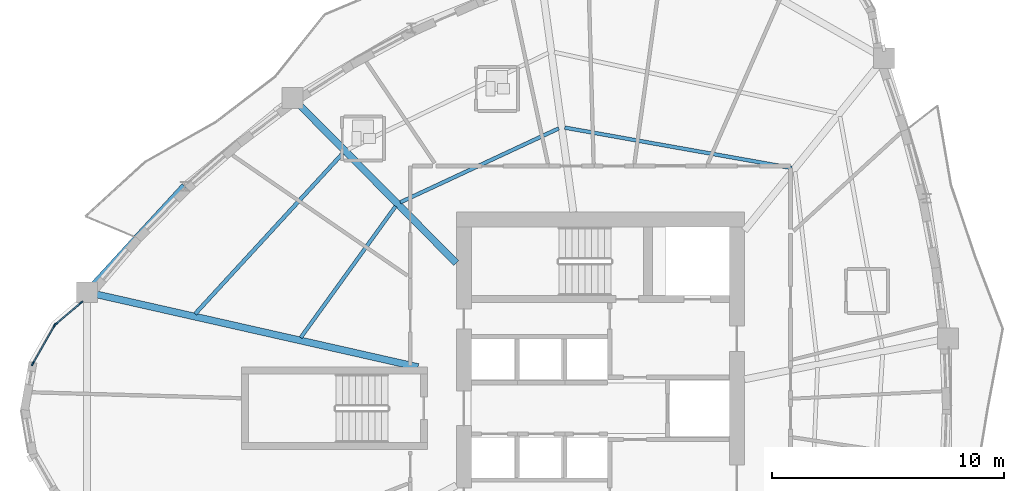
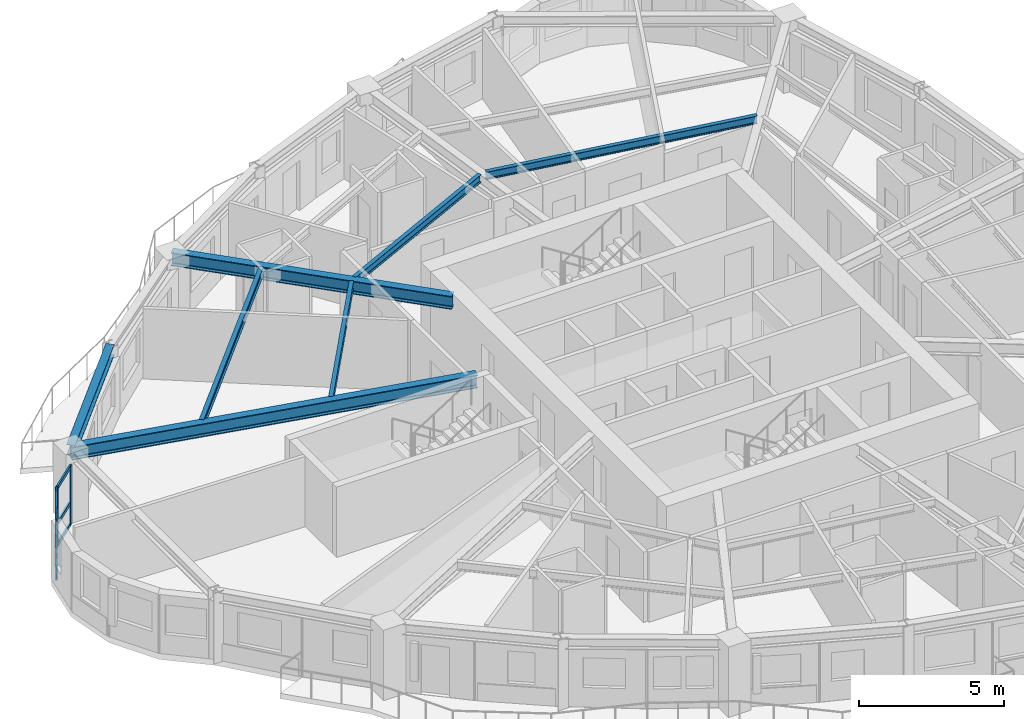
# One storey, part 2 of 14: 10 members, 7 beams, 2 elements without a shape of their own.
"""IFC4 building model written with IfcOpenShell, lengths in metres."""

from ifc_helpers import new_model, si_unit, direction, frame, origin, origin_2d, place, context, subcontext, project, spatial, rectangle, i_section, extrude, source, transform, mapped, material, layer, layer_set, material_profile, profile_set, type_object, element, aggregate, save


model = new_model("IFC4")

# Units and contexts
model_context = context("Model", 3, precision=1e-05, world=origin(), true_north=direction((0.0, 1.0)))
body_context = subcontext(model_context, "Body", "Model", "MODEL_VIEW")
ifc_project = project(units=[si_unit("LENGTHUNIT", "METRE"), si_unit("AREAUNIT", "SQUARE_METRE"), si_unit("VOLUMEUNIT", "CUBIC_METRE"), si_unit("PLANEANGLEUNIT", "RADIAN"), si_unit("MASSUNIT", "GRAM", prefix="KILO")], contexts=[model_context])

# Site, building, storey
site_placement = place(None, origin())
site = spatial("IfcSite", under=ifc_project, at=site_placement, CompositionType="ELEMENT")
building_placement = place(site_placement, origin())
building = spatial("IfcBuilding", under=site, at=building_placement, Name="Qafzar Sky-Pleat Residences", CompositionType="ELEMENT")
storey_placement = place(building_placement, frame((0.0, 0.0, 73.60009765625)))
storey = spatial("IfcBuildingStorey", under=building, at=storey_placement, Name="L21", CompositionType="ELEMENT", Elevation=73.60009765625)

# Beams
ifc_material_1 = material(Name="Steel S355", Category="steel")
ifc_material_profile_1 = material_profile(ifc_material_1, i_section(OverallWidth=0.300048828125, OverallDepth=0.449951171875, WebThickness=0.013916015625, FlangeThickness=0.02587890625, FilletRadius=0.027099609375, at=origin_2d()), Name="HEB 450")
ifc_profile_set_1 = profile_set([ifc_material_profile_1], Name="Steel S355")
beam_type_1 = type_object("IfcBeamType", Name="BM-SPAN-HEB450", PredefinedType="SPANDREL", material=ifc_profile_set_1)
shared_shape_1 = source(origin(), body_context, "Body", "SweptSolid", [
    extrude(i_section(OverallWidth=0.300048828125, OverallDepth=0.449951171875, WebThickness=0.013916015625, FlangeThickness=0.02587890625, FilletRadius=0.027099609375, at=origin_2d()), origin(), (0.0, 0.0, 1.0), 6.20166015625),
])
beam_1_placement = place(storey_placement, frame((12.451416015625, 35.563720703125, 2.722900390625), z_axis=(-0.676513948363, -0.736429818564, 0.0), x_axis=(0.736429818564, -0.676513948363, 0.0)))
element("IfcBeam", 1, at=beam_1_placement, inside=storey, type_object=beam_type_1, Name="L21 Perimeter Spandrel Beam 18", PredefinedType="SPANDREL", context=body_context, shape_type="MappedRepresentation", body=[
    mapped(shared_shape_1, transform((0.0, 0.0, 0.0), x_axis=(1.0, 0.0, 0.0), y_axis=(0.0, 1.0, 0.0), z_axis=(0.0, 0.0, 1.0), scale=1.0)),
])
ifc_material_profile_2 = material_profile(ifc_material_1, i_section(OverallWidth=0.300048828125, OverallDepth=0.550048828125, WebThickness=0.014892578125, FlangeThickness=0.029052734375, FilletRadius=0.027099609375, at=origin_2d()), Name="HEB 550")
ifc_profile_set_2 = profile_set([ifc_material_profile_2], Name="Steel S355")
beam_type_2 = type_object("IfcBeamType", Name="BM-GIRD-HEB550", PredefinedType="BEAM", material=ifc_profile_set_2)
shared_shape_2 = source(origin(), body_context, "Body", "SweptSolid", [
    extrude(i_section(OverallWidth=0.300048828125, OverallDepth=0.550048828125, WebThickness=0.014892578125, FlangeThickness=0.029052734375, FilletRadius=0.027099609375, at=origin_2d()), origin(), (0.0, 0.0, 1.0), 14.605224609375),
])
beam_2_placement = place(storey_placement, frame((8.255859375, 30.99658203125, 2.6728515625), z_axis=(0.975367612327, -0.220585631498, 0.0), x_axis=(0.220585631498, 0.975367612327, 0.0)))
element("IfcBeam", 2, at=beam_2_placement, inside=storey, type_object=beam_type_2, Name="L21 Radial Floor Girder 1", PredefinedType="BEAM", context=body_context, shape_type="MappedRepresentation", body=[
    mapped(shared_shape_2, transform((0.0, 0.0, 0.0), x_axis=(1.0, 0.0, 0.0), y_axis=(0.0, 1.0, 0.0), z_axis=(0.0, 0.0, 1.0), scale=1.0)),
])
shared_shape_3 = source(origin(), body_context, "Body", "SweptSolid", [
    extrude(i_section(OverallWidth=0.300048828125, OverallDepth=0.550048828125, WebThickness=0.014892578125, FlangeThickness=0.029052734375, FilletRadius=0.027099609375, at=origin_2d()), origin(), (0.0, 0.0, 1.0), 10.00390625),
])
beam_3_placement = place(storey_placement, frame((17.105224609375, 39.354248046875, 2.6728515625), z_axis=(0.70418446017, -0.710017074482, 0.0), x_axis=(0.710017074482, 0.70418446017, 0.0)))
element("IfcBeam", 3, at=beam_3_placement, inside=storey, type_object=beam_type_2, Name="L21 Radial Floor Girder 17", PredefinedType="BEAM", context=body_context, shape_type="MappedRepresentation", body=[
    mapped(shared_shape_3, transform((0.0, 0.0, 0.0), x_axis=(1.0, 0.0, 0.0), y_axis=(0.0, 1.0, 0.0), z_axis=(0.0, 0.0, 1.0), scale=1.0)),
])
ifc_material_profile_3 = material_profile(ifc_material_1, i_section(OverallWidth=0.169921875, OverallDepth=0.360107421875, WebThickness=0.008056640625, FlangeThickness=0.0126953125, FilletRadius=0.01806640625, at=origin_2d()), Name="IPE 360")
ifc_profile_set_3 = profile_set([ifc_material_profile_3], Name="Steel S355")
beam_type_3 = type_object("IfcBeamType", Name="BM-JST-IPE360", PredefinedType="JOIST", material=ifc_profile_set_3)
shared_shape_4 = source(origin(), body_context, "Body", "SweptSolid", [
    extrude(i_section(OverallWidth=0.169921875, OverallDepth=0.360107421875, WebThickness=0.008056640625, FlangeThickness=0.0126953125, FilletRadius=0.01806640625, at=origin_2d()), origin(), (0.0, 0.0, 1.0), 9.39794921875),
])
beam_4_placement = place(storey_placement, frame((19.26806640625, 36.98193359375, 2.767822265625), z_axis=(-0.676979989614, -0.736001422323, 0.0), x_axis=(0.736001422323, -0.676979989614, 0.0)))
element("IfcBeam", 4, at=beam_4_placement, inside=storey, type_object=beam_type_3, Name="L21 Outer Secondary Floor Joist 9", PredefinedType="JOIST", context=body_context, shape_type="MappedRepresentation", body=[
    mapped(shared_shape_4, transform((0.0, 0.0, 0.0), x_axis=(1.0, 0.0, 0.0), y_axis=(0.0, 1.0, 0.0), z_axis=(0.0, 0.0, 1.0), scale=1.0)),
])
ifc_material_profile_4 = material_profile(ifc_material_1, i_section(OverallWidth=0.159912109375, OverallDepth=0.330078125, WebThickness=0.007568359375, FlangeThickness=0.011474609375, FilletRadius=0.01806640625, at=origin_2d()), Name="IPE 330")
ifc_profile_set_4 = profile_set([ifc_material_profile_4], Name="Steel S355")
beam_type_4 = type_object("IfcBeamType", Name="BM-JST-IPE330", PredefinedType="JOIST", material=ifc_profile_set_4)
shared_shape_5 = source(origin(), body_context, "Body", "SweptSolid", [
    extrude(i_section(OverallWidth=0.159912109375, OverallDepth=0.330078125, WebThickness=0.007568359375, FlangeThickness=0.011474609375, FilletRadius=0.01806640625, at=origin_2d()), origin(), (0.0, 0.0, 1.0), 9.9189453125),
])
beam_5_placement = place(storey_placement, frame((38.580810546875, 36.343994140625, 2.782958984375), z_axis=(-0.984533273835, 0.175197696079, 0.0), x_axis=(-0.175197696079, -0.984533273835, 0.0)))
element("IfcBeam", 5, at=beam_5_placement, inside=storey, type_object=beam_type_4, Name="L21 Inner Secondary Floor Joist 7", PredefinedType="JOIST", context=body_context, shape_type="MappedRepresentation", body=[
    mapped(shared_shape_5, transform((0.0, 0.0, 0.0), x_axis=(1.0, 0.0, 0.0), y_axis=(0.0, 1.0, 0.0), z_axis=(0.0, 0.0, 1.0), scale=1.0)),
])
shared_shape_6 = source(origin(), body_context, "Body", "SweptSolid", [
    extrude(i_section(OverallWidth=0.159912109375, OverallDepth=0.330078125, WebThickness=0.007568359375, FlangeThickness=0.011474609375, FilletRadius=0.01806640625, at=origin_2d()), origin(), (0.0, 0.0, 1.0), 7.529541015625),
])
beam_6_placement = place(storey_placement, frame((28.559814453125, 38.04833984375, 2.782958984375), z_axis=(-0.906249396796, -0.422743457439, 0.0), x_axis=(0.422743457439, -0.906249396796, 0.0)))
element("IfcBeam", 6, at=beam_6_placement, inside=storey, type_object=beam_type_4, Name="L21 Inner Secondary Floor Joist 8", PredefinedType="JOIST", context=body_context, shape_type="MappedRepresentation", body=[
    mapped(shared_shape_6, transform((0.0, 0.0, 0.0), x_axis=(1.0, 0.0, 0.0), y_axis=(0.0, 1.0, 0.0), z_axis=(0.0, 0.0, 1.0), scale=1.0)),
])
shared_shape_7 = source(origin(), body_context, "Body", "SweptSolid", [
    extrude(i_section(OverallWidth=0.159912109375, OverallDepth=0.330078125, WebThickness=0.007568359375, FlangeThickness=0.011474609375, FilletRadius=0.01806640625, at=origin_2d()), origin(), (0.0, 0.0, 1.0), 6.974609375),
])
beam_7_placement = place(storey_placement, frame((21.534912109375, 34.69873046875, 2.782958984375), z_axis=(-0.585412590152, -0.810735529807, 0.0), x_axis=(0.810735529807, -0.585412590152, 0.0)))
element("IfcBeam", 7, at=beam_7_placement, inside=storey, type_object=beam_type_4, Name="L21 Inner Secondary Floor Joist 9", PredefinedType="JOIST", context=body_context, shape_type="MappedRepresentation", body=[
    mapped(shared_shape_7, transform((0.0, 0.0, 0.0), x_axis=(1.0, 0.0, 0.0), y_axis=(0.0, 1.0, 0.0), z_axis=(0.0, 0.0, 1.0), scale=1.0)),
])

# Curtain wall, members
ifc_material_2 = material(Name="Anodised bronze aluminium framing", Category="aluminium")
ifc_layer = layer(ifc_material_2, 0.199951171875)
ifc_layer_set = layer_set([ifc_layer], Name="Anodised bronze aluminium framing")
curtain_wall_type = type_object("IfcCurtainWallType", Name="CW-SYS-04", PredefinedType="NOTDEFINED", material=ifc_layer_set)
curtain_wall_1_placement = place(storey_placement, origin())
curtain_wall_1 = element("IfcCurtainWall", 8, at=curtain_wall_1_placement, inside=storey, type_object=curtain_wall_type, Name="L21 CW-04 Curtain Wall CW-L21-WG-03", PredefinedType="NOTDEFINED")
ifc_material_3 = material(Name="Anodised bronze aluminium", Category="aluminium")
ifc_material_profile_5 = material_profile(ifc_material_3, rectangle(XDim=0.06494140625, YDim=0.199951171875, at=origin_2d()), Name="ALU MULLION 65x200")
ifc_profile_set_5 = profile_set([ifc_material_profile_5], Name="Anodised bronze aluminium")
member_type_1 = type_object("IfcMemberType", Name="CWM-04", PredefinedType="MULLION", material=ifc_profile_set_5)
shared_shape_8 = source(origin(), body_context, "Body", "SweptSolid", [
    extrude(rectangle(XDim=0.06494140625, YDim=0.199951171875, at=origin_2d()), origin(), (0.0, 0.0, 1.0), 2.47998046875),
])
member_1_placement = place(storey_placement, frame((7.98681640625, 30.537353515625, 0.0), z_axis=(0.0, 0.0, 1.0), x_axis=(0.648559021531, -0.761164368314, 0.0)))
member_1 = element("IfcMember", 9, at=member_1_placement, type_object=member_type_1, Name="CW-04 mullion 1", PredefinedType="MULLION", context=body_context, shape_type="MappedRepresentation", body=[
    mapped(shared_shape_8, transform((0.0, 0.0, 0.0), x_axis=(1.0, 0.0, 0.0), y_axis=(0.0, 1.0, 0.0), z_axis=(0.0, 0.0, 1.0), scale=1.0)),
])
member_2_placement = place(storey_placement, frame((6.88916015625, 29.602294921875, 0.0), z_axis=(0.0, 0.0, 1.0), x_axis=(0.648559021531, -0.761164368314, 0.0)))
member_2 = element("IfcMember", 10, at=member_2_placement, type_object=member_type_1, Name="CW-04 mullion 2", PredefinedType="MULLION", context=body_context, shape_type="MappedRepresentation", body=[
    mapped(shared_shape_8, transform((0.0, 0.0, 0.0), x_axis=(1.0, 0.0, 0.0), y_axis=(0.0, 1.0, 0.0), z_axis=(0.0, 0.0, 1.0), scale=1.0)),
])

curtain_wall_2_placement = place(storey_placement, origin())
curtain_wall_2 = element("IfcCurtainWall", 11, at=curtain_wall_2_placement, inside=storey, type_object=curtain_wall_type, Name="L21 CW-04 Curtain Wall CW-L21-WG-04", PredefinedType="NOTDEFINED")
member_3_placement = place(storey_placement, frame((6.861572265625, 29.56884765625, 0.0), z_axis=(0.0, 0.0, 1.0), x_axis=(0.868293448676, -0.496050891528, 0.0)))
member_3 = element("IfcMember", 12, at=member_3_placement, type_object=member_type_1, Name="CW-04 mullion 1", PredefinedType="MULLION", context=body_context, shape_type="MappedRepresentation", body=[
    mapped(shared_shape_8, transform((0.0, 0.0, 0.0), x_axis=(1.0, 0.0, 0.0), y_axis=(0.0, 1.0, 0.0), z_axis=(0.0, 0.0, 1.0), scale=1.0)),
])
member_4_placement = place(storey_placement, frame((5.923095703125, 27.926025390625, 0.0), z_axis=(0.0, 0.0, 1.0), x_axis=(0.868293448676, -0.496050891528, 0.0)))
member_4 = element("IfcMember", 13, at=member_4_placement, type_object=member_type_1, Name="CW-04 mullion 2", PredefinedType="MULLION", context=body_context, shape_type="MappedRepresentation", body=[
    mapped(shared_shape_8, transform((0.0, 0.0, 0.0), x_axis=(1.0, 0.0, 0.0), y_axis=(0.0, 1.0, 0.0), z_axis=(0.0, 0.0, 1.0), scale=1.0)),
])

# Member
ifc_material_profile_6 = material_profile(ifc_material_3, rectangle(XDim=0.06494140625, YDim=0.14990234375, at=origin_2d()), Name="ALU TRANSOM 65x150")
ifc_profile_set_6 = profile_set([ifc_material_profile_6], Name="Anodised bronze aluminium")
member_type_2 = type_object("IfcMemberType", Name="CWT-04", PredefinedType="USERDEFINED", material=ifc_profile_set_6)
shared_shape_9 = source(origin(), body_context, "Body", "SweptSolid", [
    extrude(rectangle(XDim=0.06494140625, YDim=0.14990234375, at=origin_2d()), origin(), (0.0, 0.0, 1.0), 1.376953125),
])
member_5_placement = place(storey_placement, frame((7.9619140625, 30.516357421875, 0.032470703125), z_axis=(-0.761155700275, -0.648569194411, 0.0), x_axis=(0.648569194411, -0.761155700275, 0.0)))
member_5 = element("IfcMember", 14, at=member_5_placement, type_object=member_type_2, Name="CW-04 transom 1.1", ObjectType="TRANSOM", PredefinedType="USERDEFINED", context=body_context, shape_type="MappedRepresentation", body=[
    mapped(shared_shape_9, transform((0.0, 0.0, 0.0), x_axis=(1.0, 0.0, 0.0), y_axis=(0.0, 1.0, 0.0), z_axis=(0.0, 0.0, 1.0), scale=1.0)),
])

member_6_placement = place(storey_placement, frame((7.9619140625, 30.516357421875, 0.9423828125), z_axis=(-0.761155700275, -0.648569194411, 0.0), x_axis=(0.648569194411, -0.761155700275, 0.0)))
member_6 = element("IfcMember", 15, at=member_6_placement, type_object=member_type_2, Name="CW-04 transom 1.2", ObjectType="TRANSOM", PredefinedType="USERDEFINED", context=body_context, shape_type="MappedRepresentation", body=[
    mapped(shared_shape_9, transform((0.0, 0.0, 0.0), x_axis=(1.0, 0.0, 0.0), y_axis=(0.0, 1.0, 0.0), z_axis=(0.0, 0.0, 1.0), scale=1.0)),
])

member_7_placement = place(storey_placement, frame((7.9619140625, 30.516357421875, 2.447509765625), z_axis=(-0.761155700275, -0.648569194411, 0.0), x_axis=(0.648569194411, -0.761155700275, 0.0)))
member_7 = element("IfcMember", 16, at=member_7_placement, type_object=member_type_2, Name="CW-04 transom 1.3", ObjectType="TRANSOM", PredefinedType="USERDEFINED", context=body_context, shape_type="MappedRepresentation", body=[
    mapped(shared_shape_9, transform((0.0, 0.0, 0.0), x_axis=(1.0, 0.0, 0.0), y_axis=(0.0, 1.0, 0.0), z_axis=(0.0, 0.0, 1.0), scale=1.0)),
])

aggregate(curtain_wall_1, [member_1, member_2, member_5, member_6, member_7])

shared_shape_10 = source(origin(), body_context, "Body", "SweptSolid", [
    extrude(rectangle(XDim=0.06494140625, YDim=0.14990234375, at=origin_2d()), origin(), (0.0, 0.0, 1.0), 1.8271484375),
])
member_8_placement = place(storey_placement, frame((6.845458984375, 29.540771484375, 0.032470703125), z_axis=(-0.496023809106, -0.868308920143, 0.0), x_axis=(0.868308920143, -0.496023809106, 0.0)))
member_8 = element("IfcMember", 17, at=member_8_placement, type_object=member_type_2, Name="CW-04 transom 1.1", ObjectType="TRANSOM", PredefinedType="USERDEFINED", context=body_context, shape_type="MappedRepresentation", body=[
    mapped(shared_shape_10, transform((0.0, 0.0, 0.0), x_axis=(1.0, 0.0, 0.0), y_axis=(0.0, 1.0, 0.0), z_axis=(0.0, 0.0, 1.0), scale=1.0)),
])

member_9_placement = place(storey_placement, frame((6.845458984375, 29.540771484375, 0.9423828125), z_axis=(-0.496023809106, -0.868308920143, 0.0), x_axis=(0.868308920143, -0.496023809106, 0.0)))
member_9 = element("IfcMember", 18, at=member_9_placement, type_object=member_type_2, Name="CW-04 transom 1.2", ObjectType="TRANSOM", PredefinedType="USERDEFINED", context=body_context, shape_type="MappedRepresentation", body=[
    mapped(shared_shape_10, transform((0.0, 0.0, 0.0), x_axis=(1.0, 0.0, 0.0), y_axis=(0.0, 1.0, 0.0), z_axis=(0.0, 0.0, 1.0), scale=1.0)),
])

member_10_placement = place(storey_placement, frame((6.845458984375, 29.540771484375, 2.447509765625), z_axis=(-0.496023809106, -0.868308920143, 0.0), x_axis=(0.868308920143, -0.496023809106, 0.0)))
member_10 = element("IfcMember", 19, at=member_10_placement, type_object=member_type_2, Name="CW-04 transom 1.3", ObjectType="TRANSOM", PredefinedType="USERDEFINED", context=body_context, shape_type="MappedRepresentation", body=[
    mapped(shared_shape_10, transform((0.0, 0.0, 0.0), x_axis=(1.0, 0.0, 0.0), y_axis=(0.0, 1.0, 0.0), z_axis=(0.0, 0.0, 1.0), scale=1.0)),
])

aggregate(curtain_wall_2, [member_3, member_4, member_8, member_9, member_10])

save(model, "model.ifc")
